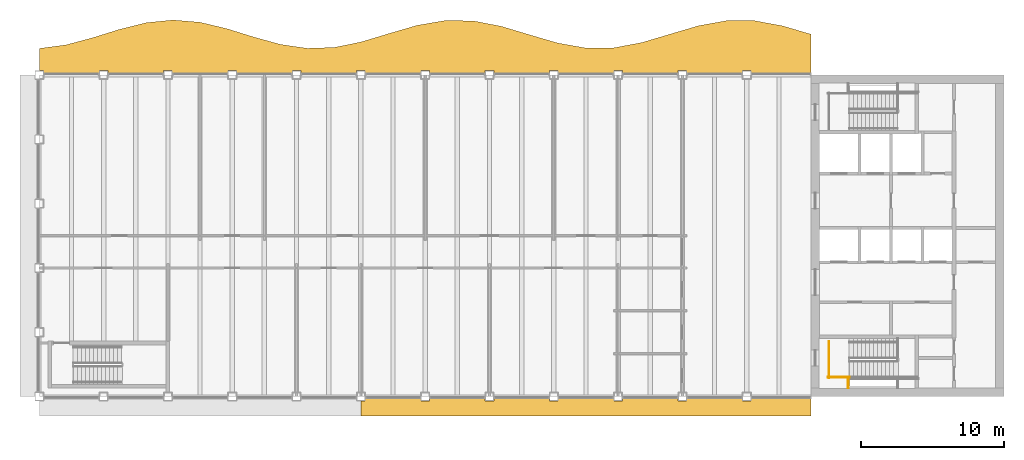
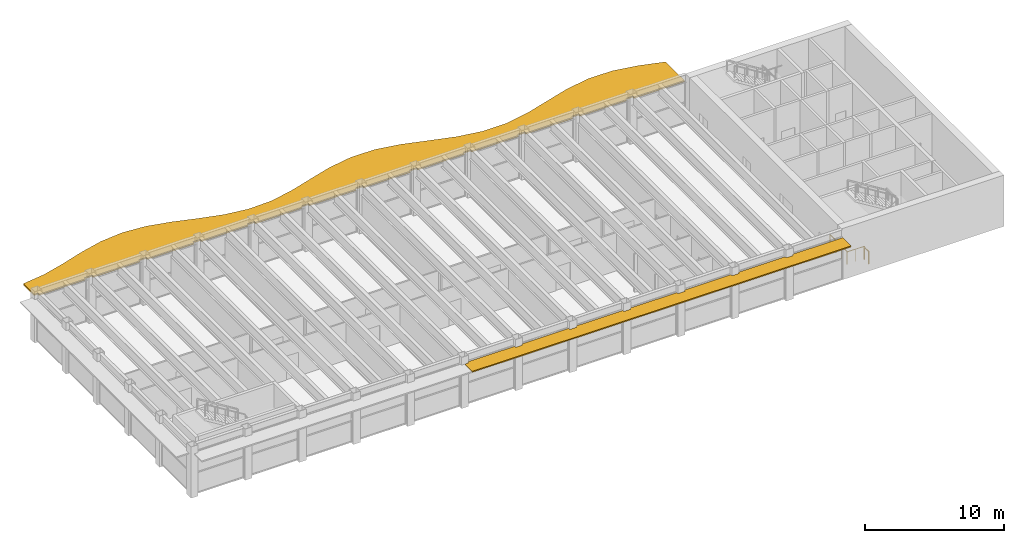
# One storey, part 13 of 14: 3 railings, 2 shading devices.
"""IFC4 building model written with IfcOpenShell, lengths in metres."""

import ifcopenshell
import ifcopenshell.guid

model = None  # the IFC model being written
_history = None  # IfcOwnerHistory: only IFC2X3 demands one
_inside = {}  # id of a spatial element -> (the spatial element, [elements in it])
_under = {}  # id of a project, library or spatial element -> (it, [spatial elements below it])
_declared = {}  # id of a project -> (the project, [libraries it declares])
_typed = {}  # id of a type object -> (the type object, [elements of that type])
_made_of = {}  # id of a material, layer set ... -> (it, [elements and type objects made of it])


def new_model(schema):
    """Start an empty IFC model of exactly this schema.

    Asked for "IFC4X3", IfcOpenShell would pick the latest addendum, in which some entities
    have other attributes; the version numbers below select the first issue.
    IFC2X3 requires an IfcOwnerHistory on every rooted entity: one is made here for all.
    """
    global model, _history
    if schema == "IFC4X3":
        model = ifcopenshell.file(schema_version=(4, 3, 0, 0))
    else:
        model = ifcopenshell.file(schema=schema)
    _inside.clear()
    _under.clear()
    _declared.clear()
    _typed.clear()
    _made_of.clear()
    _history = None
    if model.schema == "IFC2X3":
        org = make("IfcOrganization", Name="unknown")
        user = make(
            "IfcPersonAndOrganization",
            ThePerson=make("IfcPerson", FamilyName="unknown"),
            TheOrganization=org,
        )
        app = make(
            "IfcApplication",
            ApplicationDeveloper=org,
            Version="unknown",
            ApplicationFullName="unknown",
            ApplicationIdentifier="unknown",
        )
        _history = make(
            "IfcOwnerHistory",
            OwningUser=user,
            OwningApplication=app,
            ChangeAction="ADDED",
            CreationDate=0,
        )
    return model


def make(cls, **values):
    """One entity of the class cls with the attributes given. An attribute that is None is left unset."""
    return model.create_entity(
        cls, **{name: value for name, value in values.items() if value is not None}
    )


def rooted(cls, **values):
    """An entity with a GlobalId (a new one), such as an element, a storey or a relation."""
    return make(cls, GlobalId=ifcopenshell.guid.new(), OwnerHistory=_history, **values)


def si_unit(unit_type, name, prefix=None):
    """IfcSIUnit, for example si_unit("LENGTHUNIT", "METRE", prefix="MILLI")."""
    return make("IfcSIUnit", UnitType=unit_type, Prefix=prefix, Name=name)


def assignment(units):
    """IfcUnitAssignment: the units of a project."""
    return None if units is None else make("IfcUnitAssignment", Units=units)


def point(xyz):
    """IfcCartesianPoint."""
    return None if xyz is None else make("IfcCartesianPoint", Coordinates=xyz)


def direction(xyz):
    """IfcDirection."""
    return None if xyz is None else make("IfcDirection", DirectionRatios=xyz)


def frame(location, z_axis=None, x_axis=None):
    """IfcAxis2Placement3D, a coordinate frame: its origin and axes. An axis left out is left unset."""
    return make(
        "IfcAxis2Placement3D",
        Location=point(location),
        Axis=direction(z_axis),
        RefDirection=direction(x_axis),
    )


def frame_2d(location, x_axis=None):
    """IfcAxis2Placement2D, a coordinate frame in the plane: its origin and x axis."""
    return make(
        "IfcAxis2Placement2D", Location=point(location), RefDirection=direction(x_axis)
    )


def origin():
    """The frame at (0, 0, 0) with its axes left unset."""
    return frame((0.0, 0.0, 0.0))


def origin_2d():
    """The frame at (0, 0) in the plane with its x axis left unset."""
    return frame_2d((0.0, 0.0))


def place(relative_to, where):
    """IfcLocalPlacement: puts the frame where relative to a parent placement (None: the world)."""
    return make(
        "IfcLocalPlacement", PlacementRelTo=relative_to, RelativePlacement=where
    )


def context(
    kind, dimensions, precision=None, world=None, true_north=None, identifier=None
):
    """IfcGeometricRepresentationContext, for example the 3D "Model" context."""
    return make(
        "IfcGeometricRepresentationContext",
        ContextIdentifier=identifier,
        ContextType=kind,
        CoordinateSpaceDimension=dimensions,
        Precision=precision,
        WorldCoordinateSystem=world,
        TrueNorth=true_north,
    )


def subcontext(parent, identifier, kind, view, scale=None):
    """IfcGeometricRepresentationSubContext, for example "Body" below "Model"."""
    return make(
        "IfcGeometricRepresentationSubContext",
        ContextIdentifier=identifier,
        ContextType=kind,
        ParentContext=parent,
        TargetScale=scale,
        TargetView=view,
    )


def project(units=None, contexts=None):
    """IfcProject with its units and contexts."""
    return rooted(
        "IfcProject",
        Name="project",
        RepresentationContexts=contexts,
        UnitsInContext=assignment(units),
    )


def spatial(cls, under=None, at=None, **own):
    """A site, building, storey or space (cls), placed at a placement, below another one or the project."""
    s = rooted(cls, ObjectPlacement=at, **own)
    if under is not None:
        _under.setdefault(under.id(), (under, []))[1].append(s)
    return s


def polyline(points):
    """IfcPolyline through the points."""
    return make("IfcPolyline", Points=[point(p) for p in points])


def profile(cls, at=None, kind="AREA", **sizes):
    """A parametric profile (cls). Its sizes go by their IFC names, for example OverallWidth=200.0."""
    return make(cls, ProfileType=kind, Position=at, **sizes)


def rectangle(**sizes):
    """IfcRectangleProfileDef."""
    return profile("IfcRectangleProfileDef", **sizes)


def outline(outer, holes=None, kind="AREA"):
    """IfcArbitraryClosedProfileDef: a profile drawn as a closed curve; with holes, ...WithVoids."""
    if holes is None:
        return make("IfcArbitraryClosedProfileDef", ProfileType=kind, OuterCurve=outer)
    return make(
        "IfcArbitraryProfileDefWithVoids",
        ProfileType=kind,
        OuterCurve=outer,
        InnerCurves=holes,
    )


def extrude(swept, where, along, depth):
    """IfcExtrudedAreaSolid: the profile swept, set in the frame where, extruded along a direction by depth."""
    return make(
        "IfcExtrudedAreaSolid",
        SweptArea=swept,
        Position=where,
        ExtrudedDirection=direction(along),
        Depth=depth,
    )


def shape(context_of_items, identifier, shape_type, items):
    """IfcShapeRepresentation: the items that make up one representation, for example the "Body"."""
    return make(
        "IfcShapeRepresentation",
        ContextOfItems=context_of_items,
        RepresentationIdentifier=identifier,
        RepresentationType=shape_type,
        Items=items,
    )


def material(Name=None, Category=None):
    """IfcMaterial."""
    return make("IfcMaterial", Name=Name, Category=Category)


def layer(
    of_material, thickness, ventilated=None, Name=None, Category=None, Priority=None
):
    """IfcMaterialLayer: one layer of a wall or slab, of a material (None: an air gap)."""
    return make(
        "IfcMaterialLayer",
        Material=of_material,
        LayerThickness=thickness,
        IsVentilated=ventilated,
        Name=Name,
        Category=Category,
        Priority=Priority,
    )


def layer_set(layers, Name=None):
    """IfcMaterialLayerSet."""
    return make("IfcMaterialLayerSet", MaterialLayers=layers, LayerSetName=Name)


def made_of(thing, what):
    """Note that an element or type object is made of a material, layer set ...; save() writes the relation."""
    if what is not None:
        _made_of.setdefault(what.id(), (what, []))[1].append(thing)
    return thing


def type_object(cls, material=None, **own):
    """A type object (cls), such as IfcWallType, which elements share."""
    return made_of(rooted(cls, **own), material)


def element(
    cls,
    number,
    at=None,
    inside=None,
    cuts=None,
    type_object=None,
    material=None,
    context=None,
    identifier="Body",
    shape_type=None,
    held_by="IfcProductDefinitionShape",
    body=None,
    shapes=None,
    **own,
):
    """One element of the class cls, such as IfcWall. Its Tag is "e" and its number.

    at: its placement. inside: the storey or other place that contains it. cuts: it is an
    opening in that element (IfcRelVoidsElement). A single representation is given by context,
    identifier, shape_type and body (its items); several are given by shapes. held_by: the class
    of the entity that holds the representations. save() writes the other relations.
    """
    e = rooted(cls, Tag="e%d" % number, ObjectPlacement=at, **own)
    if body is not None:
        shapes = [shape(context, identifier, shape_type, body)]
    if shapes is not None:
        e.Representation = make(held_by, Representations=shapes)
    if inside is not None:
        _inside.setdefault(inside.id(), (inside, []))[1].append(e)
    if cuts is not None:
        rooted(
            "IfcRelVoidsElement", RelatingBuildingElement=cuts, RelatedOpeningElement=e
        )
    if type_object is not None:
        _typed.setdefault(type_object.id(), (type_object, []))[1].append(e)
    return made_of(e, material)


def aggregate(whole, parts):
    """IfcRelAggregates: a whole, such as a stair, and the parts it consists of."""
    return rooted("IfcRelAggregates", RelatingObject=whole, RelatedObjects=parts)


def save(model, path):
    """Write the relations noted so far, then the file.

    IfcRelAggregates (storeys below a building ...), IfcRelContainedInSpatialStructure (elements
    in a storey), IfcRelDefinesByType, IfcRelAssociatesMaterial and IfcRelDeclares: one each for
    every whole, place, type object, material and project.
    """
    for whole, parts in _under.values():
        aggregate(whole, parts)
    for where, things in _inside.values():
        rooted(
            "IfcRelContainedInSpatialStructure",
            RelatedElements=things,
            RelatingStructure=where,
        )
    for kind, things in _typed.values():
        rooted("IfcRelDefinesByType", RelatedObjects=things, RelatingType=kind)
    for what, things in _made_of.values():
        rooted("IfcRelAssociatesMaterial", RelatedObjects=things, RelatingMaterial=what)
    for by, libraries in _declared.values():
        rooted("IfcRelDeclares", RelatingContext=by, RelatedDefinitions=libraries)
    model.write(path)


model = new_model("IFC4")

# Units and contexts
model_context = context("Model", 3, precision=1e-05, world=origin(), true_north=direction((0.0, 1.0)))
body_context = subcontext(model_context, "Body", "Model", "MODEL_VIEW")
ifc_project = project(units=[si_unit("LENGTHUNIT", "METRE"), si_unit("AREAUNIT", "SQUARE_METRE"), si_unit("VOLUMEUNIT", "CUBIC_METRE"), si_unit("PLANEANGLEUNIT", "RADIAN"), si_unit("MASSUNIT", "GRAM", prefix="KILO")], contexts=[model_context])

# Site, building, storey
site_placement = place(None, origin())
site = spatial("IfcSite", under=ifc_project, at=site_placement, CompositionType="ELEMENT")
building_placement = place(site_placement, origin())
building = spatial("IfcBuilding", under=site, at=building_placement, Name="Sennacour Bend Tower", CompositionType="ELEMENT")
storey_placement = place(building_placement, frame((0.0, 0.0, 305.0)))
storey = spatial("IfcBuildingStorey", under=building, at=storey_placement, Name="L70", CompositionType="ELEMENT", Elevation=305.0)

# Railings
ifc_material_1 = material(Name="Stainless steel", Category="steel")
railing_type = type_object("IfcRailingType", Name="RL-GUARD-1100", PredefinedType="GUARDRAIL", material=ifc_material_1)
railing_1_placement = place(storey_placement, frame((55.199951171875, 1.35009765625, 0.0)))
element("IfcRailing", 1, at=railing_1_placement, inside=storey, type_object=railing_type, Name="L70 SA1 stair guard 6", PredefinedType="GUARDRAIL", context=body_context, shape_type="SweptSolid", body=[
    extrude(rectangle(XDim=0.048095703125, YDim=0.048095703125, at=origin_2d()), frame((0.0, 0.0, 1.076171875), z_axis=(1.0, 0.0, 0.0), x_axis=(0.0, 1.0, 0.0)), (0.0, 0.0, 1.0), 1.5),
    extrude(rectangle(XDim=0.0419921875, YDim=0.0419921875, at=origin_2d()), origin(), (0.0, 0.0, 1.0), 1.052001953125),
    extrude(rectangle(XDim=0.0419921875, YDim=0.0419921875, at=origin_2d()), frame((0.75, 0.0, 0.0)), (0.0, 0.0, 1.0), 1.052001953125),
    extrude(rectangle(XDim=0.0419921875, YDim=0.0419921875, at=origin_2d()), frame((1.5, 0.0, 0.0)), (0.0, 0.0, 1.0), 1.052001953125),
])
railing_2_placement = place(storey_placement, frame((55.25, 1.300048828125, 0.0)))
element("IfcRailing", 2, at=railing_2_placement, inside=storey, type_object=railing_type, Name="L70 SA1 stair guard 7", PredefinedType="GUARDRAIL", context=body_context, shape_type="SweptSolid", body=[
    extrude(rectangle(XDim=0.048095703125, YDim=0.048095703125, at=origin_2d()), frame((0.0, 0.0, 1.076171875), z_axis=(0.0, 1.0, 0.0), x_axis=(-1.0, 0.0, 0.0)), (0.0, 0.0, 1.0), 2.550048828125),
    extrude(rectangle(XDim=0.0419921875, YDim=0.0419921875, at=origin_2d()), origin(), (0.0, 0.0, 1.0), 1.052001953125),
    extrude(rectangle(XDim=0.0419921875, YDim=0.0419921875, at=origin_2d()), frame((0.0, 0.85009765625, 0.0)), (0.0, 0.0, 1.0), 1.052001953125),
    extrude(rectangle(XDim=0.0419921875, YDim=0.0419921875, at=origin_2d()), frame((0.0, 1.699951171875, 0.0)), (0.0, 0.0, 1.0), 1.052001953125),
    extrude(rectangle(XDim=0.0419921875, YDim=0.0419921875, at=origin_2d()), frame((0.0, 2.550048828125, 0.0)), (0.0, 0.0, 1.0), 1.052001953125),
])
railing_3_placement = place(storey_placement, frame((56.60009765625, 1.25, 0.0)))
element("IfcRailing", 3, at=railing_3_placement, inside=storey, type_object=railing_type, Name="L70 SA1 landing edge guard 157", PredefinedType="GUARDRAIL", context=body_context, shape_type="SweptSolid", body=[
    extrude(rectangle(XDim=0.048095703125, YDim=0.048095703125, at=origin_2d()), frame((0.0, 0.0, 1.076171875), z_axis=(0.0, -1.0, 0.0), x_axis=(1.0, 0.0, 0.0)), (0.0, 0.0, 1.0), 0.64990234375),
    extrude(rectangle(XDim=0.0419921875, YDim=0.0419921875, at=origin_2d()), origin(), (0.0, 0.0, 1.0), 1.052001953125),
    extrude(rectangle(XDim=0.0419921875, YDim=0.0419921875, at=origin_2d()), frame((0.0, -0.64990234375, 0.0)), (0.0, 0.0, 1.0), 1.052001953125),
])

# Shading devices
ifc_material_2 = material(Name="Bronze anodised aluminium", Category="aluminium")
ifc_layer_1 = layer(ifc_material_2, 0.10009765625, Name="Bronze anodised aluminium", Category="aluminium")
ifc_layer_set_1 = layer_set([ifc_layer_1], Name="Bronze anodised aluminium")
shading_device_type_1 = type_object("IfcShadingDeviceType", Name="SUNSHADE BAND STRAIGHT", PredefinedType="USERDEFINED", material=ifc_layer_set_1)
shading_device_1_placement = place(storey_placement, frame((0.0, 0.0, 3.572021484375)))
element("IfcShadingDevice", 4, at=shading_device_1_placement, inside=storey, type_object=shading_device_type_1, Name="Sunshade band L70 A outer face", ObjectType="SUNSHADE", PredefinedType="USERDEFINED", context=body_context, shape_type="SweptSolid", body=[
    extrude(outline(polyline([(26.699951171875, -0.14990234375), (26.699951171875, -0.300048828125), (27.300048828125, -0.300048828125), (27.300048828125, -0.14990234375), (31.199951171875, -0.14990234375), (31.199951171875, -0.300048828125), (31.800048828125, -0.300048828125), (31.800048828125, -0.14990234375), (35.699951171875, -0.14990234375), (35.699951171875, -0.300048828125), (36.300048828125, -0.300048828125), (36.300048828125, -0.14990234375), (40.199951171875, -0.14990234375), (40.199951171875, -0.300048828125), (40.800048828125, -0.300048828125), (40.800048828125, -0.14990234375), (44.699951171875, -0.14990234375), (44.699951171875, -0.300048828125), (45.300048828125, -0.300048828125), (45.300048828125, -0.14990234375), (49.199951171875, -0.14990234375), (49.199951171875, -0.300048828125), (49.800048828125, -0.300048828125), (49.800048828125, -0.14990234375), (54.0, -0.14990234375), (54.0, -1.35009765625), (22.5, -1.35009765625), (22.5, -0.300048828125), (22.800048828125, -0.300048828125), (22.800048828125, -0.14990234375), (26.699951171875, -0.14990234375)])), origin(), (0.0, 0.0, 1.0), 0.10009765625),
])
ifc_layer_2 = layer(ifc_material_2, 0.1201171875, Name="Bronze anodised aluminium", Category="aluminium")
ifc_layer_set_2 = layer_set([ifc_layer_2], Name="Bronze anodised aluminium")
shading_device_type_2 = type_object("IfcShadingDeviceType", Name="SUNSHADE BAND WAVE", PredefinedType="USERDEFINED", material=ifc_layer_set_2)
shading_device_2_placement = place(storey_placement, frame((0.0, 0.0, 3.552001953125)))
element("IfcShadingDevice", 5, at=shading_device_2_placement, inside=storey, type_object=shading_device_type_2, Name="Sunshade band L70 concave faces", ObjectType="SUNSHADE", PredefinedType="USERDEFINED", context=body_context, shape_type="SweptSolid", body=[
    extrude(outline(polyline([(54.0, 22.64990234375), (49.800048828125, 22.64990234375), (49.800048828125, 22.800048828125), (49.199951171875, 22.800048828125), (49.199951171875, 22.64990234375), (45.300048828125, 22.64990234375), (45.300048828125, 22.800048828125), (44.699951171875, 22.800048828125), (44.699951171875, 22.64990234375), (40.800048828125, 22.64990234375), (40.800048828125, 22.800048828125), (40.199951171875, 22.800048828125), (40.199951171875, 22.64990234375), (36.300048828125, 22.64990234375), (36.300048828125, 22.800048828125), (35.699951171875, 22.800048828125), (35.699951171875, 22.64990234375), (31.800048828125, 22.64990234375), (31.800048828125, 22.800048828125), (31.199951171875, 22.800048828125), (31.199951171875, 22.64990234375), (27.300048828125, 22.64990234375), (27.300048828125, 22.800048828125), (26.699951171875, 22.800048828125), (26.699951171875, 22.64990234375), (22.800048828125, 22.64990234375), (22.800048828125, 22.800048828125), (22.199951171875, 22.800048828125), (22.199951171875, 22.64990234375), (18.300048828125, 22.64990234375), (18.300048828125, 22.800048828125), (17.699951171875, 22.800048828125), (17.699951171875, 22.64990234375), (13.800048828125, 22.64990234375), (13.800048828125, 22.800048828125), (13.199951171875, 22.800048828125), (13.199951171875, 22.64990234375), (9.300048828125, 22.64990234375), (9.300048828125, 22.800048828125), (8.699951171875, 22.800048828125), (8.699951171875, 22.64990234375), (4.800048828125, 22.64990234375), (4.800048828125, 22.800048828125), (4.199951171875, 22.800048828125), (4.199951171875, 22.64990234375), (0.300048828125, 22.64990234375), (0.300048828125, 22.800048828125), (0.0, 22.800048828125), (0.0, 24.360107421875), (1.875, 24.610107421875), (3.75, 25.1142578125), (5.625, 25.699462890625), (7.5, 26.16455078125), (9.375, 26.349609375), (11.25, 26.19140625), (13.125, 25.74365234375), (15.0, 25.16064453125), (16.875, 24.642822265625), (18.75, 24.3681640625), (20.625, 24.4306640625), (22.5, 24.809326171875), (24.46875, 25.403564453125), (26.4375, 25.9775390625), (28.40625, 26.314453125), (30.375, 26.286865234375), (32.34375, 25.905517578125), (34.3125, 25.314208984375), (36.28125, 24.736572265625), (38.25, 24.390380859375), (40.21875, 24.406982421875), (42.1875, 24.77978515625), (44.15625, 25.367919921875), (46.125, 25.94921875), (48.09375, 26.30419921875), (50.0625, 26.298828125), (52.03125, 25.934814453125), (54.0, 25.35009765625), (54.0, 22.64990234375)])), origin(), (0.0, 0.0, 1.0), 0.1201171875),
])

save(model, "model.ifc")
